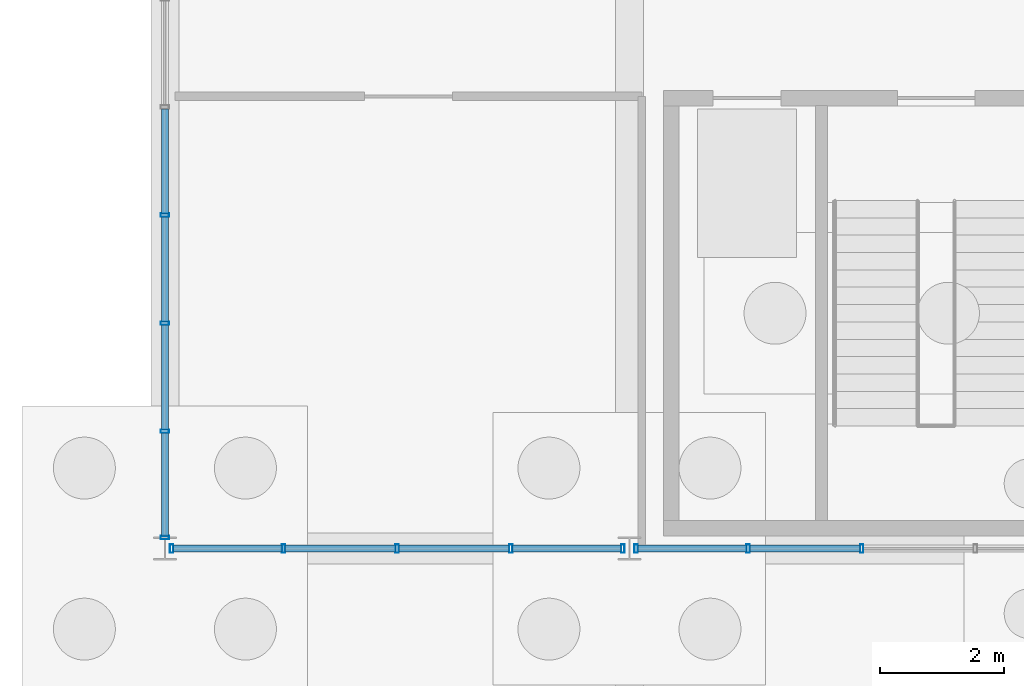
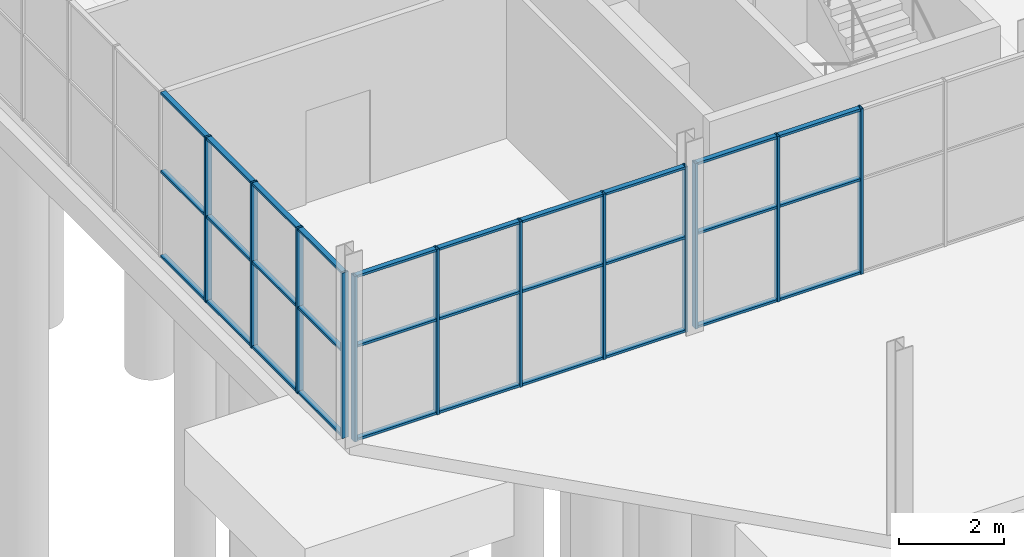
# One storey, part 70 of 136: 42 members, 3 elements without a shape of their own.
"""IFC4 building model written with IfcOpenShell, lengths in metres."""

from ifc_helpers import new_model, si_unit, direction, frame, origin, origin_2d, place, context, subcontext, project, spatial, hollow_rectangle, extrude, material, layer, layer_set, material_profile, profile_set, type_object, element, aggregate, save


model = new_model("IFC4")

# Units and contexts
model_context = context("Model", 3, precision=1e-05, world=origin(), true_north=direction((0.0, 1.0)))
body_context = subcontext(model_context, "Body", "Model", "MODEL_VIEW")
ifc_project = project(units=[si_unit("LENGTHUNIT", "METRE"), si_unit("AREAUNIT", "SQUARE_METRE"), si_unit("VOLUMEUNIT", "CUBIC_METRE"), si_unit("PLANEANGLEUNIT", "RADIAN"), si_unit("MASSUNIT", "GRAM", prefix="KILO")], contexts=[model_context])

# Site, building, storey
site_placement = place(None, origin())
site = spatial("IfcSite", under=ifc_project, at=site_placement, CompositionType="ELEMENT")
building_placement = place(site_placement, origin())
building = spatial("IfcBuilding", under=site, at=building_placement, Name="Solvenia Promenade Tram Depot", CompositionType="ELEMENT")
storey_placement = place(building_placement, origin())
storey = spatial("IfcBuildingStorey", under=building, at=storey_placement, Name="L00", CompositionType="ELEMENT", Elevation=0.0)

# Curtain wall, members
ifc_material = material(Name="Anodized aluminium AW-6063 T6", Category="aluminium")
ifc_layer = layer(ifc_material, 0.179931640625, Name="Anodized aluminium AW-6063 T6", Category="aluminium")
ifc_layer_set = layer_set([ifc_layer], Name="Anodized aluminium AW-6063 T6")
curtain_wall_type = type_object("IfcCurtainWallType", Name="CW-Prom-1800", PredefinedType="NOTDEFINED", material=ifc_layer_set)
curtain_wall_1_placement = place(storey_placement, origin())
curtain_wall_1 = element("IfcCurtainWall", 1, at=curtain_wall_1_placement, inside=storey, type_object=curtain_wall_type, Name="Curtain Wall CW-V5S-L0-01", PredefinedType="NOTDEFINED")
ifc_material_profile_1 = material_profile(ifc_material, hollow_rectangle(XDim=0.139892578125, YDim=0.054931640625, WallThickness=0.00390625, at=origin_2d()), Name="ALU-M4", Category="aluminium")
ifc_profile_set_1 = profile_set([ifc_material_profile_1], Name="Anodized aluminium AW-6063 T6")
member_type_1 = type_object("IfcMemberType", Name="CWM-Mullion-4", PredefinedType="MULLION", material=ifc_profile_set_1)
member_1_placement = place(storey_placement, frame((135.107421875, 8.0, 0.0), z_axis=(0.0, 0.0, 1.0), x_axis=(0.0, 1.0, 0.0)))
member_1 = element("IfcMember", 2, at=member_1_placement, type_object=member_type_1, Name="CW-9 mullion 1", PredefinedType="MULLION", context=body_context, shape_type="SweptSolid", body=[
    extrude(hollow_rectangle(XDim=0.139892578125, YDim=0.054931640625, WallThickness=0.00390625, at=origin_2d()), origin(), (0.0, 0.0, 1.0), 3.85009765625),
])
member_2_placement = place(storey_placement, frame((136.9150390625, 8.0, 0.0), z_axis=(0.0, 0.0, 1.0), x_axis=(0.0, 1.0, 0.0)))
member_2 = element("IfcMember", 3, at=member_2_placement, type_object=member_type_1, Name="CW-9 mullion 2", PredefinedType="MULLION", context=body_context, shape_type="SweptSolid", body=[
    extrude(hollow_rectangle(XDim=0.139892578125, YDim=0.054931640625, WallThickness=0.00390625, at=origin_2d()), origin(), (0.0, 0.0, 1.0), 3.85009765625),
])
member_3_placement = place(storey_placement, frame((138.75, 8.0, 0.0), z_axis=(0.0, 0.0, 1.0), x_axis=(0.0, 1.0, 0.0)))
member_3 = element("IfcMember", 4, at=member_3_placement, type_object=member_type_1, Name="CW-9 mullion 3", PredefinedType="MULLION", context=body_context, shape_type="SweptSolid", body=[
    extrude(hollow_rectangle(XDim=0.139892578125, YDim=0.054931640625, WallThickness=0.00390625, at=origin_2d()), origin(), (0.0, 0.0, 1.0), 3.85009765625),
])
member_4_placement = place(storey_placement, frame((140.5849609375, 8.0, 0.0), z_axis=(0.0, 0.0, 1.0), x_axis=(0.0, 1.0, 0.0)))
member_4 = element("IfcMember", 5, at=member_4_placement, type_object=member_type_1, Name="CW-9 mullion 4", PredefinedType="MULLION", context=body_context, shape_type="SweptSolid", body=[
    extrude(hollow_rectangle(XDim=0.139892578125, YDim=0.054931640625, WallThickness=0.00390625, at=origin_2d()), origin(), (0.0, 0.0, 1.0), 3.85009765625),
])
member_5_placement = place(storey_placement, frame((142.392578125, 8.0, 0.0), z_axis=(0.0, 0.0, 1.0), x_axis=(0.0, 1.0, 0.0)))
member_5 = element("IfcMember", 6, at=member_5_placement, type_object=member_type_1, Name="CW-9 mullion 5", PredefinedType="MULLION", context=body_context, shape_type="SweptSolid", body=[
    extrude(hollow_rectangle(XDim=0.139892578125, YDim=0.054931640625, WallThickness=0.00390625, at=origin_2d()), origin(), (0.0, 0.0, 1.0), 3.85009765625),
])

curtain_wall_2_placement = place(storey_placement, origin())
curtain_wall_2 = element("IfcCurtainWall", 7, at=curtain_wall_2_placement, inside=storey, type_object=curtain_wall_type, Name="Curtain Wall CW-V5S-L0-02", PredefinedType="NOTDEFINED")
member_6_placement = place(storey_placement, frame((142.607421875, 8.0, 0.0), z_axis=(0.0, 0.0, 1.0), x_axis=(0.0, 1.0, 0.0)))
member_6 = element("IfcMember", 8, at=member_6_placement, type_object=member_type_1, Name="CW-9 mullion 1", PredefinedType="MULLION", context=body_context, shape_type="SweptSolid", body=[
    extrude(hollow_rectangle(XDim=0.139892578125, YDim=0.054931640625, WallThickness=0.00390625, at=origin_2d()), origin(), (0.0, 0.0, 1.0), 3.85009765625),
])
member_7_placement = place(storey_placement, frame((144.4150390625, 8.0, 0.0), z_axis=(0.0, 0.0, 1.0), x_axis=(0.0, 1.0, 0.0)))
member_7 = element("IfcMember", 9, at=member_7_placement, type_object=member_type_1, Name="CW-9 mullion 2", PredefinedType="MULLION", context=body_context, shape_type="SweptSolid", body=[
    extrude(hollow_rectangle(XDim=0.139892578125, YDim=0.054931640625, WallThickness=0.00390625, at=origin_2d()), origin(), (0.0, 0.0, 1.0), 3.85009765625),
])
member_8_placement = place(storey_placement, frame((146.25, 8.0, 0.0), z_axis=(0.0, 0.0, 1.0), x_axis=(0.0, 1.0, 0.0)))
member_8 = element("IfcMember", 10, at=member_8_placement, type_object=member_type_1, Name="CW-9 mullion 3", PredefinedType="MULLION", context=body_context, shape_type="SweptSolid", body=[
    extrude(hollow_rectangle(XDim=0.139892578125, YDim=0.054931640625, WallThickness=0.00390625, at=origin_2d()), origin(), (0.0, 0.0, 1.0), 3.85009765625),
])

curtain_wall_3_placement = place(storey_placement, origin())
curtain_wall_3 = element("IfcCurtainWall", 11, at=curtain_wall_3_placement, inside=storey, type_object=curtain_wall_type, Name="Curtain Wall CW-V5W-L00", PredefinedType="NOTDEFINED")
member_9_placement = place(storey_placement, frame((135.0, 8.177490234375, 0.0), z_axis=(0.0, 0.0, 1.0), x_axis=(-1.0, 0.0, 0.0)))
member_9 = element("IfcMember", 12, at=member_9_placement, type_object=member_type_1, Name="CW-9 mullion 1", PredefinedType="MULLION", context=body_context, shape_type="SweptSolid", body=[
    extrude(hollow_rectangle(XDim=0.139892578125, YDim=0.054931640625, WallThickness=0.00390625, at=origin_2d()), origin(), (0.0, 0.0, 1.0), 3.85009765625),
])
member_10_placement = place(storey_placement, frame((135.0, 9.89453125, 0.0), z_axis=(0.0, 0.0, 1.0), x_axis=(-1.0, 0.0, 0.0)))
member_10 = element("IfcMember", 13, at=member_10_placement, type_object=member_type_1, Name="CW-9 mullion 2", PredefinedType="MULLION", context=body_context, shape_type="SweptSolid", body=[
    extrude(hollow_rectangle(XDim=0.139892578125, YDim=0.054931640625, WallThickness=0.00390625, at=origin_2d()), origin(), (0.0, 0.0, 1.0), 3.85009765625),
])
member_11_placement = place(storey_placement, frame((135.0, 11.638916015625, 0.0), z_axis=(0.0, 0.0, 1.0), x_axis=(-1.0, 0.0, 0.0)))
member_11 = element("IfcMember", 14, at=member_11_placement, type_object=member_type_1, Name="CW-9 mullion 3", PredefinedType="MULLION", context=body_context, shape_type="SweptSolid", body=[
    extrude(hollow_rectangle(XDim=0.139892578125, YDim=0.054931640625, WallThickness=0.00390625, at=origin_2d()), origin(), (0.0, 0.0, 1.0), 3.85009765625),
])
member_12_placement = place(storey_placement, frame((135.0, 13.38330078125, 0.0), z_axis=(0.0, 0.0, 1.0), x_axis=(-1.0, 0.0, 0.0)))
member_12 = element("IfcMember", 15, at=member_12_placement, type_object=member_type_1, Name="CW-9 mullion 4", PredefinedType="MULLION", context=body_context, shape_type="SweptSolid", body=[
    extrude(hollow_rectangle(XDim=0.139892578125, YDim=0.054931640625, WallThickness=0.00390625, at=origin_2d()), origin(), (0.0, 0.0, 1.0), 3.85009765625),
])

# Member
ifc_material_profile_2 = material_profile(ifc_material, hollow_rectangle(XDim=0.110107421875, YDim=0.054931640625, WallThickness=0.00390625, at=origin_2d()), Name="ALU-T4", Category="aluminium")
ifc_profile_set_2 = profile_set([ifc_material_profile_2], Name="Anodized aluminium AW-6063 T6")
member_type_2 = type_object("IfcMemberType", Name="CWT-Transom-4", PredefinedType="USERDEFINED", material=ifc_profile_set_2)
member_13_placement = place(storey_placement, frame((135.135009765625, 8.0, 0.027587890625), z_axis=(1.0, 0.0, 0.0), x_axis=(0.0, 1.0, 0.0)))
member_13 = element("IfcMember", 16, at=member_13_placement, type_object=member_type_2, Name="CW-9 transom 1.1", ObjectType="TRANSOM", PredefinedType="USERDEFINED", context=body_context, shape_type="SweptSolid", body=[
    extrude(hollow_rectangle(XDim=0.110107421875, YDim=0.054931640625, WallThickness=0.00390625, at=origin_2d()), origin(), (0.0, 0.0, 1.0), 1.75244140625),
])

member_14_placement = place(storey_placement, frame((135.135009765625, 8.0, 2.199951171875), z_axis=(1.0, 0.0, 0.0), x_axis=(0.0, 1.0, 0.0)))
member_14 = element("IfcMember", 17, at=member_14_placement, type_object=member_type_2, Name="CW-9 transom 1.2", ObjectType="TRANSOM", PredefinedType="USERDEFINED", context=body_context, shape_type="SweptSolid", body=[
    extrude(hollow_rectangle(XDim=0.110107421875, YDim=0.054931640625, WallThickness=0.00390625, at=origin_2d()), origin(), (0.0, 0.0, 1.0), 1.75244140625),
])

member_15_placement = place(storey_placement, frame((135.135009765625, 8.0, 3.822509765625), z_axis=(1.0, 0.0, 0.0), x_axis=(0.0, 1.0, 0.0)))
member_15 = element("IfcMember", 18, at=member_15_placement, type_object=member_type_2, Name="CW-9 transom 1.3", ObjectType="TRANSOM", PredefinedType="USERDEFINED", context=body_context, shape_type="SweptSolid", body=[
    extrude(hollow_rectangle(XDim=0.110107421875, YDim=0.054931640625, WallThickness=0.00390625, at=origin_2d()), origin(), (0.0, 0.0, 1.0), 1.75244140625),
])

member_16_placement = place(storey_placement, frame((136.9423828125, 8.0, 0.027587890625), z_axis=(1.0, 0.0, 0.0), x_axis=(0.0, 1.0, 0.0)))
member_16 = element("IfcMember", 19, at=member_16_placement, type_object=member_type_2, Name="CW-9 transom 2.1", ObjectType="TRANSOM", PredefinedType="USERDEFINED", context=body_context, shape_type="SweptSolid", body=[
    extrude(hollow_rectangle(XDim=0.110107421875, YDim=0.054931640625, WallThickness=0.00390625, at=origin_2d()), origin(), (0.0, 0.0, 1.0), 1.780029296875),
])

member_17_placement = place(storey_placement, frame((136.9423828125, 8.0, 2.199951171875), z_axis=(1.0, 0.0, 0.0), x_axis=(0.0, 1.0, 0.0)))
member_17 = element("IfcMember", 20, at=member_17_placement, type_object=member_type_2, Name="CW-9 transom 2.2", ObjectType="TRANSOM", PredefinedType="USERDEFINED", context=body_context, shape_type="SweptSolid", body=[
    extrude(hollow_rectangle(XDim=0.110107421875, YDim=0.054931640625, WallThickness=0.00390625, at=origin_2d()), origin(), (0.0, 0.0, 1.0), 1.780029296875),
])

member_18_placement = place(storey_placement, frame((136.9423828125, 8.0, 3.822509765625), z_axis=(1.0, 0.0, 0.0), x_axis=(0.0, 1.0, 0.0)))
member_18 = element("IfcMember", 21, at=member_18_placement, type_object=member_type_2, Name="CW-9 transom 2.3", ObjectType="TRANSOM", PredefinedType="USERDEFINED", context=body_context, shape_type="SweptSolid", body=[
    extrude(hollow_rectangle(XDim=0.110107421875, YDim=0.054931640625, WallThickness=0.00390625, at=origin_2d()), origin(), (0.0, 0.0, 1.0), 1.780029296875),
])

member_19_placement = place(storey_placement, frame((138.777587890625, 8.0, 0.027587890625), z_axis=(1.0, 0.0, 0.0), x_axis=(0.0, 1.0, 0.0)))
member_19 = element("IfcMember", 22, at=member_19_placement, type_object=member_type_2, Name="CW-9 transom 3.1", ObjectType="TRANSOM", PredefinedType="USERDEFINED", context=body_context, shape_type="SweptSolid", body=[
    extrude(hollow_rectangle(XDim=0.110107421875, YDim=0.054931640625, WallThickness=0.00390625, at=origin_2d()), origin(), (0.0, 0.0, 1.0), 1.780029296875),
])

member_20_placement = place(storey_placement, frame((138.777587890625, 8.0, 2.199951171875), z_axis=(1.0, 0.0, 0.0), x_axis=(0.0, 1.0, 0.0)))
member_20 = element("IfcMember", 23, at=member_20_placement, type_object=member_type_2, Name="CW-9 transom 3.2", ObjectType="TRANSOM", PredefinedType="USERDEFINED", context=body_context, shape_type="SweptSolid", body=[
    extrude(hollow_rectangle(XDim=0.110107421875, YDim=0.054931640625, WallThickness=0.00390625, at=origin_2d()), origin(), (0.0, 0.0, 1.0), 1.780029296875),
])

member_21_placement = place(storey_placement, frame((138.777587890625, 8.0, 3.822509765625), z_axis=(1.0, 0.0, 0.0), x_axis=(0.0, 1.0, 0.0)))
member_21 = element("IfcMember", 24, at=member_21_placement, type_object=member_type_2, Name="CW-9 transom 3.3", ObjectType="TRANSOM", PredefinedType="USERDEFINED", context=body_context, shape_type="SweptSolid", body=[
    extrude(hollow_rectangle(XDim=0.110107421875, YDim=0.054931640625, WallThickness=0.00390625, at=origin_2d()), origin(), (0.0, 0.0, 1.0), 1.780029296875),
])

member_22_placement = place(storey_placement, frame((140.612548828125, 8.0, 0.027587890625), z_axis=(1.0, 0.0, 0.0), x_axis=(0.0, 1.0, 0.0)))
member_22 = element("IfcMember", 25, at=member_22_placement, type_object=member_type_2, Name="CW-9 transom 4.1", ObjectType="TRANSOM", PredefinedType="USERDEFINED", context=body_context, shape_type="SweptSolid", body=[
    extrude(hollow_rectangle(XDim=0.110107421875, YDim=0.054931640625, WallThickness=0.00390625, at=origin_2d()), origin(), (0.0, 0.0, 1.0), 1.75244140625),
])

member_23_placement = place(storey_placement, frame((140.612548828125, 8.0, 2.199951171875), z_axis=(1.0, 0.0, 0.0), x_axis=(0.0, 1.0, 0.0)))
member_23 = element("IfcMember", 26, at=member_23_placement, type_object=member_type_2, Name="CW-9 transom 4.2", ObjectType="TRANSOM", PredefinedType="USERDEFINED", context=body_context, shape_type="SweptSolid", body=[
    extrude(hollow_rectangle(XDim=0.110107421875, YDim=0.054931640625, WallThickness=0.00390625, at=origin_2d()), origin(), (0.0, 0.0, 1.0), 1.75244140625),
])

member_24_placement = place(storey_placement, frame((140.612548828125, 8.0, 3.822509765625), z_axis=(1.0, 0.0, 0.0), x_axis=(0.0, 1.0, 0.0)))
member_24 = element("IfcMember", 27, at=member_24_placement, type_object=member_type_2, Name="CW-9 transom 4.3", ObjectType="TRANSOM", PredefinedType="USERDEFINED", context=body_context, shape_type="SweptSolid", body=[
    extrude(hollow_rectangle(XDim=0.110107421875, YDim=0.054931640625, WallThickness=0.00390625, at=origin_2d()), origin(), (0.0, 0.0, 1.0), 1.75244140625),
])

aggregate(curtain_wall_1, [member_1, member_2, member_3, member_4, member_5, member_13, member_14, member_15, member_16, member_17, member_18, member_19, member_20, member_21, member_22, member_23, member_24])

member_25_placement = place(storey_placement, frame((142.635009765625, 8.0, 0.027587890625), z_axis=(1.0, 0.0, 0.0), x_axis=(0.0, 1.0, 0.0)))
member_25 = element("IfcMember", 28, at=member_25_placement, type_object=member_type_2, Name="CW-9 transom 1.1", ObjectType="TRANSOM", PredefinedType="USERDEFINED", context=body_context, shape_type="SweptSolid", body=[
    extrude(hollow_rectangle(XDim=0.110107421875, YDim=0.054931640625, WallThickness=0.00390625, at=origin_2d()), origin(), (0.0, 0.0, 1.0), 1.75244140625),
])

member_26_placement = place(storey_placement, frame((142.635009765625, 8.0, 2.199951171875), z_axis=(1.0, 0.0, 0.0), x_axis=(0.0, 1.0, 0.0)))
member_26 = element("IfcMember", 29, at=member_26_placement, type_object=member_type_2, Name="CW-9 transom 1.2", ObjectType="TRANSOM", PredefinedType="USERDEFINED", context=body_context, shape_type="SweptSolid", body=[
    extrude(hollow_rectangle(XDim=0.110107421875, YDim=0.054931640625, WallThickness=0.00390625, at=origin_2d()), origin(), (0.0, 0.0, 1.0), 1.75244140625),
])

member_27_placement = place(storey_placement, frame((142.635009765625, 8.0, 3.822509765625), z_axis=(1.0, 0.0, 0.0), x_axis=(0.0, 1.0, 0.0)))
member_27 = element("IfcMember", 30, at=member_27_placement, type_object=member_type_2, Name="CW-9 transom 1.3", ObjectType="TRANSOM", PredefinedType="USERDEFINED", context=body_context, shape_type="SweptSolid", body=[
    extrude(hollow_rectangle(XDim=0.110107421875, YDim=0.054931640625, WallThickness=0.00390625, at=origin_2d()), origin(), (0.0, 0.0, 1.0), 1.75244140625),
])

member_28_placement = place(storey_placement, frame((144.4423828125, 8.0, 0.027587890625), z_axis=(1.0, 0.0, 0.0), x_axis=(0.0, 1.0, 0.0)))
member_28 = element("IfcMember", 31, at=member_28_placement, type_object=member_type_2, Name="CW-9 transom 2.1", ObjectType="TRANSOM", PredefinedType="USERDEFINED", context=body_context, shape_type="SweptSolid", body=[
    extrude(hollow_rectangle(XDim=0.110107421875, YDim=0.054931640625, WallThickness=0.00390625, at=origin_2d()), origin(), (0.0, 0.0, 1.0), 1.780029296875),
])

member_29_placement = place(storey_placement, frame((144.4423828125, 8.0, 2.199951171875), z_axis=(1.0, 0.0, 0.0), x_axis=(0.0, 1.0, 0.0)))
member_29 = element("IfcMember", 32, at=member_29_placement, type_object=member_type_2, Name="CW-9 transom 2.2", ObjectType="TRANSOM", PredefinedType="USERDEFINED", context=body_context, shape_type="SweptSolid", body=[
    extrude(hollow_rectangle(XDim=0.110107421875, YDim=0.054931640625, WallThickness=0.00390625, at=origin_2d()), origin(), (0.0, 0.0, 1.0), 1.780029296875),
])

member_30_placement = place(storey_placement, frame((144.4423828125, 8.0, 3.822509765625), z_axis=(1.0, 0.0, 0.0), x_axis=(0.0, 1.0, 0.0)))
member_30 = element("IfcMember", 33, at=member_30_placement, type_object=member_type_2, Name="CW-9 transom 2.3", ObjectType="TRANSOM", PredefinedType="USERDEFINED", context=body_context, shape_type="SweptSolid", body=[
    extrude(hollow_rectangle(XDim=0.110107421875, YDim=0.054931640625, WallThickness=0.00390625, at=origin_2d()), origin(), (0.0, 0.0, 1.0), 1.780029296875),
])

aggregate(curtain_wall_2, [member_6, member_7, member_8, member_25, member_26, member_27, member_28, member_29, member_30])

member_31_placement = place(storey_placement, frame((135.0, 8.205078125, 0.027587890625), z_axis=(0.0, 1.0, 0.0), x_axis=(-1.0, 0.0, 0.0)))
member_31 = element("IfcMember", 34, at=member_31_placement, type_object=member_type_2, Name="CW-9 transom 1.1", ObjectType="TRANSOM", PredefinedType="USERDEFINED", context=body_context, shape_type="SweptSolid", body=[
    extrude(hollow_rectangle(XDim=0.110107421875, YDim=0.054931640625, WallThickness=0.00390625, at=origin_2d()), origin(), (0.0, 0.0, 1.0), 1.661865234375),
])

member_32_placement = place(storey_placement, frame((135.0, 8.205078125, 2.0), z_axis=(0.0, 1.0, 0.0), x_axis=(-1.0, 0.0, 0.0)))
member_32 = element("IfcMember", 35, at=member_32_placement, type_object=member_type_2, Name="CW-9 transom 1.2", ObjectType="TRANSOM", PredefinedType="USERDEFINED", context=body_context, shape_type="SweptSolid", body=[
    extrude(hollow_rectangle(XDim=0.110107421875, YDim=0.054931640625, WallThickness=0.00390625, at=origin_2d()), origin(), (0.0, 0.0, 1.0), 1.661865234375),
])

member_33_placement = place(storey_placement, frame((135.0, 8.205078125, 3.822509765625), z_axis=(0.0, 1.0, 0.0), x_axis=(-1.0, 0.0, 0.0)))
member_33 = element("IfcMember", 36, at=member_33_placement, type_object=member_type_2, Name="CW-9 transom 1.3", ObjectType="TRANSOM", PredefinedType="USERDEFINED", context=body_context, shape_type="SweptSolid", body=[
    extrude(hollow_rectangle(XDim=0.110107421875, YDim=0.054931640625, WallThickness=0.00390625, at=origin_2d()), origin(), (0.0, 0.0, 1.0), 1.661865234375),
])

member_34_placement = place(storey_placement, frame((135.0, 9.921875, 0.027587890625), z_axis=(0.0, 1.0, 0.0), x_axis=(-1.0, 0.0, 0.0)))
member_34 = element("IfcMember", 37, at=member_34_placement, type_object=member_type_2, Name="CW-9 transom 2.1", ObjectType="TRANSOM", PredefinedType="USERDEFINED", context=body_context, shape_type="SweptSolid", body=[
    extrude(hollow_rectangle(XDim=0.110107421875, YDim=0.054931640625, WallThickness=0.00390625, at=origin_2d()), origin(), (0.0, 0.0, 1.0), 1.689453125),
])

member_35_placement = place(storey_placement, frame((135.0, 9.921875, 2.0), z_axis=(0.0, 1.0, 0.0), x_axis=(-1.0, 0.0, 0.0)))
member_35 = element("IfcMember", 38, at=member_35_placement, type_object=member_type_2, Name="CW-9 transom 2.2", ObjectType="TRANSOM", PredefinedType="USERDEFINED", context=body_context, shape_type="SweptSolid", body=[
    extrude(hollow_rectangle(XDim=0.110107421875, YDim=0.054931640625, WallThickness=0.00390625, at=origin_2d()), origin(), (0.0, 0.0, 1.0), 1.689453125),
])

member_36_placement = place(storey_placement, frame((135.0, 9.921875, 3.822509765625), z_axis=(0.0, 1.0, 0.0), x_axis=(-1.0, 0.0, 0.0)))
member_36 = element("IfcMember", 39, at=member_36_placement, type_object=member_type_2, Name="CW-9 transom 2.3", ObjectType="TRANSOM", PredefinedType="USERDEFINED", context=body_context, shape_type="SweptSolid", body=[
    extrude(hollow_rectangle(XDim=0.110107421875, YDim=0.054931640625, WallThickness=0.00390625, at=origin_2d()), origin(), (0.0, 0.0, 1.0), 1.689453125),
])

member_37_placement = place(storey_placement, frame((135.0, 11.66650390625, 0.027587890625), z_axis=(0.0, 1.0, 0.0), x_axis=(-1.0, 0.0, 0.0)))
member_37 = element("IfcMember", 40, at=member_37_placement, type_object=member_type_2, Name="CW-9 transom 3.1", ObjectType="TRANSOM", PredefinedType="USERDEFINED", context=body_context, shape_type="SweptSolid", body=[
    extrude(hollow_rectangle(XDim=0.110107421875, YDim=0.054931640625, WallThickness=0.00390625, at=origin_2d()), origin(), (0.0, 0.0, 1.0), 1.689208984375),
])

member_38_placement = place(storey_placement, frame((135.0, 11.66650390625, 2.0), z_axis=(0.0, 1.0, 0.0), x_axis=(-1.0, 0.0, 0.0)))
member_38 = element("IfcMember", 41, at=member_38_placement, type_object=member_type_2, Name="CW-9 transom 3.2", ObjectType="TRANSOM", PredefinedType="USERDEFINED", context=body_context, shape_type="SweptSolid", body=[
    extrude(hollow_rectangle(XDim=0.110107421875, YDim=0.054931640625, WallThickness=0.00390625, at=origin_2d()), origin(), (0.0, 0.0, 1.0), 1.689208984375),
])

member_39_placement = place(storey_placement, frame((135.0, 11.66650390625, 3.822509765625), z_axis=(0.0, 1.0, 0.0), x_axis=(-1.0, 0.0, 0.0)))
member_39 = element("IfcMember", 42, at=member_39_placement, type_object=member_type_2, Name="CW-9 transom 3.3", ObjectType="TRANSOM", PredefinedType="USERDEFINED", context=body_context, shape_type="SweptSolid", body=[
    extrude(hollow_rectangle(XDim=0.110107421875, YDim=0.054931640625, WallThickness=0.00390625, at=origin_2d()), origin(), (0.0, 0.0, 1.0), 1.689208984375),
])

member_40_placement = place(storey_placement, frame((135.0, 13.410888671875, 0.027587890625), z_axis=(0.0, 1.0, 0.0), x_axis=(-1.0, 0.0, 0.0)))
member_40 = element("IfcMember", 43, at=member_40_placement, type_object=member_type_2, Name="CW-9 transom 4.1", ObjectType="TRANSOM", PredefinedType="USERDEFINED", context=body_context, shape_type="SweptSolid", body=[
    extrude(hollow_rectangle(XDim=0.110107421875, YDim=0.054931640625, WallThickness=0.00390625, at=origin_2d()), origin(), (0.0, 0.0, 1.0), 1.689453125),
])

member_41_placement = place(storey_placement, frame((135.0, 13.410888671875, 2.0), z_axis=(0.0, 1.0, 0.0), x_axis=(-1.0, 0.0, 0.0)))
member_41 = element("IfcMember", 44, at=member_41_placement, type_object=member_type_2, Name="CW-9 transom 4.2", ObjectType="TRANSOM", PredefinedType="USERDEFINED", context=body_context, shape_type="SweptSolid", body=[
    extrude(hollow_rectangle(XDim=0.110107421875, YDim=0.054931640625, WallThickness=0.00390625, at=origin_2d()), origin(), (0.0, 0.0, 1.0), 1.689453125),
])

member_42_placement = place(storey_placement, frame((135.0, 13.410888671875, 3.822509765625), z_axis=(0.0, 1.0, 0.0), x_axis=(-1.0, 0.0, 0.0)))
member_42 = element("IfcMember", 45, at=member_42_placement, type_object=member_type_2, Name="CW-9 transom 4.3", ObjectType="TRANSOM", PredefinedType="USERDEFINED", context=body_context, shape_type="SweptSolid", body=[
    extrude(hollow_rectangle(XDim=0.110107421875, YDim=0.054931640625, WallThickness=0.00390625, at=origin_2d()), origin(), (0.0, 0.0, 1.0), 1.689453125),
])

aggregate(curtain_wall_3, [member_9, member_10, member_11, member_12, member_31, member_32, member_33, member_34, member_35, member_36, member_37, member_38, member_39, member_40, member_41, member_42])

save(model, "model.ifc")
